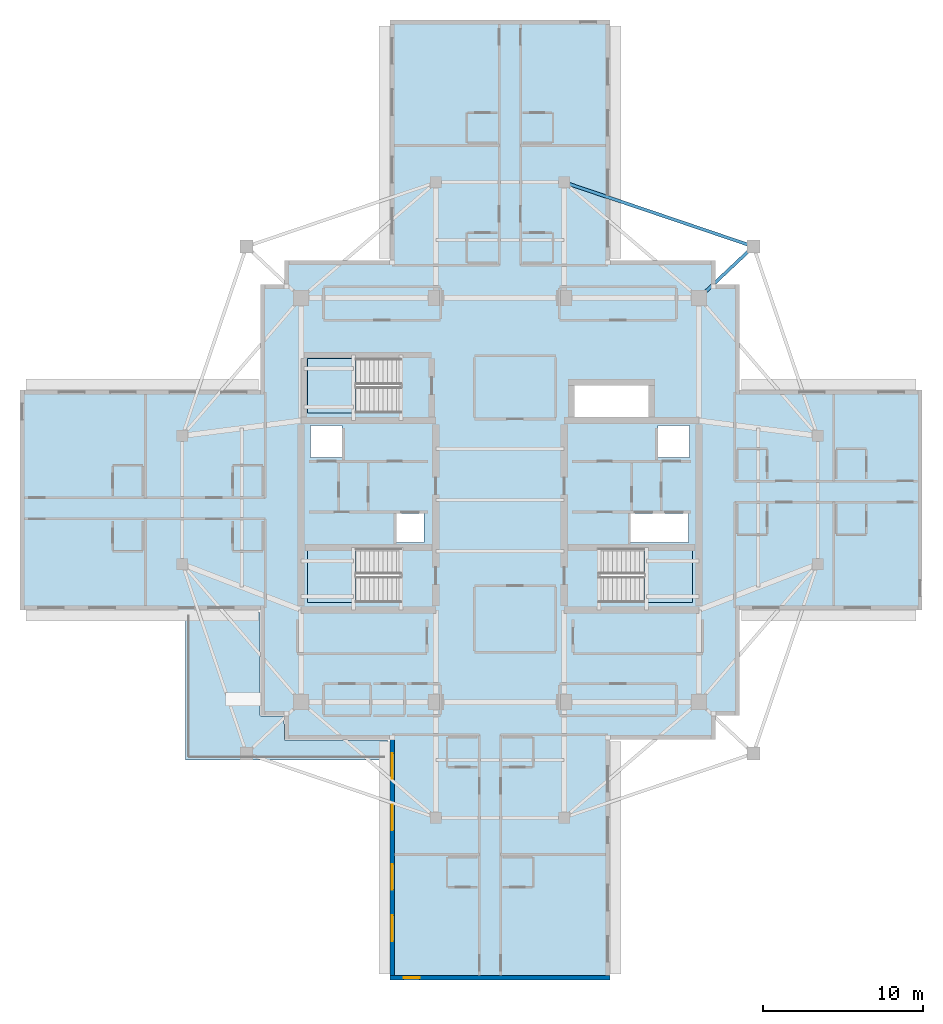
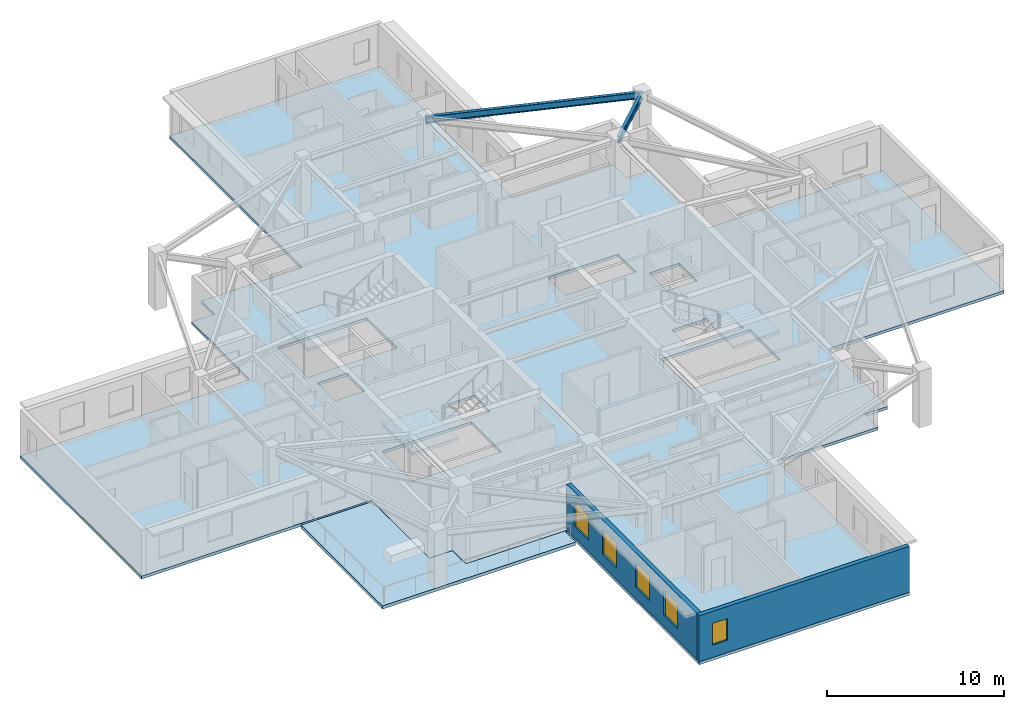
# One storey, part 2 of 12: 5 slabs, 5 windows, 2 beams, 2 walls, 5 openings, 3 elements without a shape of their own.
"""IFC4 building model written with IfcOpenShell, lengths in metres."""

from ifc_helpers import new_model, si_unit, direction, frame, frame_2d, origin, origin_2d, place, context, subcontext, project, spatial, polyline, rectangle, i_section, outline, extrude, material, layer, layer_set, material_profile, profile_set, type_object, element, fill, aggregate, save


model = new_model("IFC4")

# Units and contexts
model_context = context("Model", 3, precision=1e-05, world=origin(), true_north=direction((0.0, 1.0)))
body_context = subcontext(model_context, "Body", "Model", "MODEL_VIEW")
ifc_project = project(units=[si_unit("LENGTHUNIT", "METRE"), si_unit("AREAUNIT", "SQUARE_METRE"), si_unit("VOLUMEUNIT", "CUBIC_METRE"), si_unit("PLANEANGLEUNIT", "RADIAN"), si_unit("MASSUNIT", "GRAM", prefix="KILO")], contexts=[model_context])

# Site, building, storey
site_placement = place(None, origin())
site = spatial("IfcSite", under=ifc_project, at=site_placement, CompositionType="ELEMENT")
building_placement = place(site_placement, origin())
building = spatial("IfcBuilding", under=site, at=building_placement, Name="Qingluan Cross Belvedere", CompositionType="ELEMENT")
storey_placement = place(building_placement, frame((0.0, 0.0, 265.5)))
storey = spatial("IfcBuildingStorey", under=building, at=storey_placement, Name="L66", CompositionType="ELEMENT", Elevation=265.5)

# Beams
ifc_material_1 = material(Name="Steel Q420GJB", Category="steel")
ifc_material_profile = material_profile(ifc_material_1, i_section(OverallWidth=0.199951171875, OverallDepth=0.449951171875, WebThickness=0.009033203125, FlangeThickness=0.013916015625, FilletRadius=0.01611328125, at=origin_2d()), Name="HN450x200x9x14")
ifc_profile_set = profile_set([ifc_material_profile], Name="Steel Q420GJB")
beam_type = type_object("IfcBeamType", Name="Steel_Beam_HN450x200x9x14", PredefinedType="JOIST", material=ifc_profile_set)
beam_1_placement = place(storey_placement, frame((12.39990234375, 12.60009765625, 3.47509765625), z_axis=(0.728219948308, 0.685343495546, 0.0), x_axis=(-0.685343495546, 0.728219948308, 0.0)))
element("IfcBeam", 1, at=beam_1_placement, inside=storey, type_object=beam_type, Name="Corner beam 1 L66-RNE", PredefinedType="JOIST", context=body_context, shape_type="SweptSolid", body=[
    extrude(i_section(OverallWidth=0.199951171875, OverallDepth=0.449951171875, WebThickness=0.009033203125, FlangeThickness=0.013916015625, FilletRadius=0.01611328125, at=origin_2d()), origin(), (0.0, 0.0, 1.0), 4.669189453125),
])
beam_2_placement = place(storey_placement, frame((15.800048828125, 15.800048828125, 3.47509765625), z_axis=(-0.947066283324, 0.321038089628, 0.0), x_axis=(-0.321038089628, -0.947066283324, 0.0)))
element("IfcBeam", 2, at=beam_2_placement, inside=storey, type_object=beam_type, Name="Corner beam 2 L66-RNE", PredefinedType="JOIST", context=body_context, shape_type="SweptSolid", body=[
    extrude(i_section(OverallWidth=0.199951171875, OverallDepth=0.449951171875, WebThickness=0.009033203125, FlangeThickness=0.013916015625, FilletRadius=0.01611328125, at=origin_2d()), origin(), (0.0, 0.0, 1.0), 12.45947265625),
])

# Slab
ifc_material_2 = material(Name="Concrete C40", Category="concrete")
ifc_layer_1 = layer(ifc_material_2, 0.199951171875, Name="FloorSlab_200")
ifc_layer_set_1 = layer_set([ifc_layer_1], Name="Concrete C40")
slab_type_1 = type_object("IfcSlabType", Name="FloorSlab_200", PredefinedType="FLOOR", material=ifc_layer_set_1)
slab_1_placement = place(storey_placement, frame((0.0, 0.0, -0.199951171875)))
element("IfcSlab", 3, at=slab_1_placement, inside=storey, type_object=slab_type_1, Name="Structural floor slab L66", PredefinedType="FLOOR", context=body_context, shape_type="SweptSolid", body=[
    extrude(outline(polyline([(6.860107421875, -29.919921875), (6.860107421875, -14.93994140625), (13.43994140625, -14.93994140625), (13.43994140625, -13.43994140625), (14.93994140625, -13.43994140625), (14.93994140625, -6.860107421875), (26.320068359375, -6.860107421875), (26.320068359375, 6.860107421875), (14.93994140625, 6.860107421875), (14.93994140625, 13.43994140625), (13.43994140625, 13.43994140625), (13.43994140625, 14.93994140625), (6.860107421875, 14.93994140625), (6.860107421875, 29.919921875), (-6.860107421875, 29.919921875), (-6.860107421875, 14.93994140625), (-13.43994140625, 14.93994140625), (-13.43994140625, 13.43994140625), (-14.93994140625, 13.43994140625), (-14.93994140625, 6.860107421875), (-29.919921875, 6.860107421875), (-29.919921875, -6.860107421875), (-14.93994140625, -6.860107421875), (-14.93994140625, -13.43994140625), (-13.43994140625, -13.43994140625), (-13.43994140625, -14.93994140625), (-6.860107421875, -14.93994140625), (-6.860107421875, -29.919921875), (6.860107421875, -29.919921875)]), holes=[polyline([(-12.0, -3.0), (-6.179931640625, -3.0), (-6.179931640625, -6.39990234375), (-12.0, -6.39990234375), (-12.0, -3.0)]), polyline([(6.179931640625, -3.0), (12.0, -3.0), (12.0, -6.39990234375), (6.179931640625, -6.39990234375), (6.179931640625, -3.0)]), polyline([(-12.0, 8.820068359375), (-6.179931640625, 8.820068359375), (-6.179931640625, 5.419921875), (-12.0, 5.419921875), (-12.0, 8.820068359375)]), polyline([(-11.800048828125, 4.64990234375), (-9.85009765625, 4.64990234375), (-9.85009765625, 2.64990234375), (-11.800048828125, 2.64990234375), (-11.800048828125, 4.64990234375)]), polyline([(9.85009765625, 4.64990234375), (11.800048828125, 4.64990234375), (11.800048828125, 2.64990234375), (9.85009765625, 2.64990234375), (9.85009765625, 4.64990234375)]), polyline([(-6.449951171875, -0.840087890625), (-4.75, -0.840087890625), (-4.75, -2.659912109375), (-6.449951171875, -2.659912109375), (-6.449951171875, -0.840087890625)]), polyline([(8.14990234375, -0.840087890625), (11.75, -0.840087890625), (11.75, -2.659912109375), (8.14990234375, -2.659912109375), (8.14990234375, -0.840087890625)]), polyline([(4.64990234375, 7.14990234375), (9.25, 7.14990234375), (9.25, 5.14990234375), (4.64990234375, 5.14990234375), (4.64990234375, 7.14990234375)])]), origin(), (0.0, 0.0, 1.0), 0.199951171875),
])

# Stair, slab
ifc_material_3 = material(Name="Concrete C40", Category="concrete")
stair_type = type_object("IfcStairType", Name="CoreDoglegStair_1620", PredefinedType="HALF_TURN_STAIR", material=ifc_material_3)
stair_1_placement = place(storey_placement, origin())
stair_1 = element("IfcStair", 4, at=stair_1_placement, inside=storey, type_object=stair_type, Name="L66 ST1", PredefinedType="HALF_TURN_STAIR")
ifc_material_4 = material(Name="Concrete C40", Category="concrete")
ifc_layer_2 = layer(ifc_material_4, 0.179931640625, Name="StairLandingSlab_180")
ifc_layer_set_2 = layer_set([ifc_layer_2], Name="Concrete C40")
slab_type_2 = type_object("IfcSlabType", Name="StairLandingSlab_180", PredefinedType="LANDING", material=ifc_layer_set_2)
slab_2_placement = place(storey_placement, frame((0.0, 0.0, 1.75)))
slab_2 = element("IfcSlab", 5, at=slab_2_placement, type_object=slab_type_2, Name="ST1 landing 1", PredefinedType="LANDING", context=body_context, shape_type="SweptSolid", body=[
    extrude(outline(polyline([(-8.97998046875, -3.0), (-12.0, -3.0), (-12.0, -6.39990234375), (-8.97998046875, -6.39990234375), (-8.97998046875, -3.0)])), origin(), (0.0, 0.0, 1.0), 0.199951171875),
])
aggregate(stair_1, [slab_2])

stair_2_placement = place(storey_placement, origin())
stair_2 = element("IfcStair", 6, at=stair_2_placement, inside=storey, type_object=stair_type, Name="L66 ST2", PredefinedType="HALF_TURN_STAIR")
slab_3_placement = place(storey_placement, frame((0.0, 0.0, 1.75)))
slab_3 = element("IfcSlab", 7, at=slab_3_placement, type_object=slab_type_2, Name="ST2 landing 1", PredefinedType="LANDING", context=body_context, shape_type="SweptSolid", body=[
    extrude(outline(polyline([(8.97998046875, -6.39990234375), (12.0, -6.39990234375), (12.0, -3.0), (8.97998046875, -3.0), (8.97998046875, -6.39990234375)])), origin(), (0.0, 0.0, 1.0), 0.199951171875),
])
aggregate(stair_2, [slab_3])

stair_3_placement = place(storey_placement, origin())
stair_3 = element("IfcStair", 8, at=stair_3_placement, inside=storey, type_object=stair_type, Name="L66 ST3", PredefinedType="HALF_TURN_STAIR")
slab_4_placement = place(storey_placement, frame((0.0, 0.0, 1.75)))
slab_4 = element("IfcSlab", 9, at=slab_4_placement, type_object=slab_type_2, Name="ST3 landing 1", PredefinedType="LANDING", context=body_context, shape_type="SweptSolid", body=[
    extrude(outline(polyline([(-8.97998046875, 8.820068359375), (-12.0, 8.820068359375), (-12.0, 5.419921875), (-8.97998046875, 5.419921875), (-8.97998046875, 8.820068359375)])), origin(), (0.0, 0.0, 1.0), 0.199951171875),
])
aggregate(stair_3, [slab_4])

# Slab
ifc_material_5 = material(Name="Concrete C40", Category="concrete")
ifc_layer_3 = layer(ifc_material_5, 0.219970703125, Name="TerraceSlab_220")
ifc_layer_set_3 = layer_set([ifc_layer_3], Name="Concrete C40")
slab_type_3 = type_object("IfcSlabType", Name="TerraceSlab_220", PredefinedType="FLOOR", material=ifc_layer_set_3)
slab_5_placement = place(storey_placement, frame((0.0, 0.0, -0.219970703125)))
element("IfcSlab", 10, at=slab_5_placement, inside=storey, type_object=slab_type_3, Name="Spiralling winter-garden terrace slab L66", PredefinedType="FLOOR", context=body_context, shape_type="SweptSolid", body=[
    extrude(outline(polyline([(-7.0, -14.949951171875), (-13.445556640625, -14.9482421875), (-13.449951171875, -13.449951171875), (-14.93994140625, -13.449951171875), (-14.94970703125, -13.44189453125), (-14.949951171875, -7.0), (-19.60009765625, -7.0), (-19.60009765625, -16.199951171875), (-7.0, -16.199951171875), (-7.0, -14.949951171875)])), origin(), (0.0, 0.0, 1.0), 0.219970703125),
])

# Wall, openings, windows
ifc_material_6 = material(Name="Precast concrete C45", Category="concrete")
ifc_layer_4 = layer(ifc_material_6, 0.280029296875, Name="PrecastFacadeWall_280")
ifc_layer_set_4 = layer_set([ifc_layer_4], Name="Precast concrete C45")
wall_type = type_object("IfcWallType", Name="PrecastFacadeWall_280", PredefinedType="STANDARD", material=ifc_layer_set_4)
wall_1_placement = place(storey_placement, frame((-6.719970703125, -14.93994140625, 0.0), z_axis=(0.0, 0.0, 1.0), x_axis=(0.0, -1.0, 0.0)))
wall_1 = element("IfcWall", 11, at=wall_1_placement, inside=storey, type_object=wall_type, Name="Facade wall L66-SA", PredefinedType="STANDARD", context=body_context, shape_type="SweptSolid", body=[
    extrude(rectangle(XDim=14.699951171875, YDim=0.280029296875, at=frame_2d((7.35009765625, 0.0))), origin(), (0.0, 0.0, 1.0), 3.179931640625),
])
opening_1_placement = place(wall_1_placement, frame((0.85009765625, 0.0, 0.800048828125)))
opening_1 = element("IfcOpeningElement", 12, at=opening_1_placement, cuts=wall_1, Name="Opening W-04", PredefinedType="OPENING", context=body_context, shape_type="SweptSolid", body=[
    extrude(rectangle(XDim=1.60009765625, YDim=1.699951171875, at=frame_2d((0.800048828125, 0.85009765625))), frame((0.0, 0.14990234375, 0.0), z_axis=(0.0, -1.0, 0.0), x_axis=(1.0, 0.0, 0.0)), (0.0, 0.0, 1.0), 0.300048828125),
])
opening_2_placement = place(wall_1_placement, frame((4.050048828125, 0.0, 0.800048828125)))
opening_2 = element("IfcOpeningElement", 13, at=opening_2_placement, cuts=wall_1, Name="Opening W-04", PredefinedType="OPENING", context=body_context, shape_type="SweptSolid", body=[
    extrude(rectangle(XDim=1.60009765625, YDim=1.699951171875, at=frame_2d((0.800048828125, 0.85009765625))), frame((0.0, 0.14990234375, 0.0), z_axis=(0.0, -1.0, 0.0), x_axis=(1.0, 0.0, 0.0)), (0.0, 0.0, 1.0), 0.300048828125),
])
opening_3_placement = place(wall_1_placement, frame((7.75, 0.0, 0.800048828125)))
opening_3 = element("IfcOpeningElement", 14, at=opening_3_placement, cuts=wall_1, Name="Opening W-04", PredefinedType="OPENING", context=body_context, shape_type="SweptSolid", body=[
    extrude(rectangle(XDim=1.60009765625, YDim=1.699951171875, at=frame_2d((0.800048828125, 0.85009765625))), frame((0.0, 0.14990234375, 0.0), z_axis=(0.0, -1.0, 0.0), x_axis=(1.0, 0.0, 0.0)), (0.0, 0.0, 1.0), 0.300048828125),
])
opening_4_placement = place(wall_1_placement, frame((10.949951171875, 0.0, 0.800048828125)))
opening_4 = element("IfcOpeningElement", 15, at=opening_4_placement, cuts=wall_1, Name="Opening W-04", PredefinedType="OPENING", context=body_context, shape_type="SweptSolid", body=[
    extrude(rectangle(XDim=1.60009765625, YDim=1.699951171875, at=frame_2d((0.800048828125, 0.85009765625))), frame((0.0, 0.14990234375, 0.0), z_axis=(0.0, -1.0, 0.0), x_axis=(1.0, 0.0, 0.0)), (0.0, 0.0, 1.0), 0.300048828125),
])
ifc_material_7 = material(Name="Thermally broken triple Low-E glass in aluminium frame", Category="aluminium")
window_type_1 = type_object("IfcWindowType", Name="SuiteCornerWin_1600x1700", PartitioningType="SINGLE_PANEL", PredefinedType="WINDOW", material=ifc_material_7)
window_1_placement = place(opening_1_placement, origin())
window_1 = element("IfcWindow", 16, at=window_1_placement, inside=storey, type_object=window_type_1, Name="Ribbon window L66-SA-1", OverallHeight=1.699951171875, OverallWidth=1.60009765625, PartitioningType="SINGLE_PANEL", PredefinedType="WINDOW", context=body_context, shape_type="SweptSolid", body=[
    extrude(rectangle(XDim=1.60009765625, YDim=1.699951171875, at=frame_2d((0.800048828125, 0.85009765625))), frame((0.0, 0.030029296875, 0.0), z_axis=(0.0, -1.0, 0.0), x_axis=(1.0, 0.0, 0.0)), (0.0, 0.0, 1.0), 0.06005859375),
])
fill(opening_1, window_1)
window_2_placement = place(opening_2_placement, origin())
window_2 = element("IfcWindow", 17, at=window_2_placement, inside=storey, type_object=window_type_1, Name="Ribbon window L66-SA-2", OverallHeight=1.699951171875, OverallWidth=1.60009765625, PartitioningType="SINGLE_PANEL", PredefinedType="WINDOW", context=body_context, shape_type="SweptSolid", body=[
    extrude(rectangle(XDim=1.60009765625, YDim=1.699951171875, at=frame_2d((0.800048828125, 0.85009765625))), frame((0.0, 0.030029296875, 0.0), z_axis=(0.0, -1.0, 0.0), x_axis=(1.0, 0.0, 0.0)), (0.0, 0.0, 1.0), 0.06005859375),
])
fill(opening_2, window_2)
window_3_placement = place(opening_3_placement, origin())
window_3 = element("IfcWindow", 18, at=window_3_placement, inside=storey, type_object=window_type_1, Name="Ribbon window L66-SA-3", OverallHeight=1.699951171875, OverallWidth=1.60009765625, PartitioningType="SINGLE_PANEL", PredefinedType="WINDOW", context=body_context, shape_type="SweptSolid", body=[
    extrude(rectangle(XDim=1.60009765625, YDim=1.699951171875, at=frame_2d((0.800048828125, 0.85009765625))), frame((0.0, 0.030029296875, 0.0), z_axis=(0.0, -1.0, 0.0), x_axis=(1.0, 0.0, 0.0)), (0.0, 0.0, 1.0), 0.06005859375),
])
fill(opening_3, window_3)
window_4_placement = place(opening_4_placement, origin())
window_4 = element("IfcWindow", 19, at=window_4_placement, inside=storey, type_object=window_type_1, Name="Ribbon window L66-SA-4", OverallHeight=1.699951171875, OverallWidth=1.60009765625, PartitioningType="SINGLE_PANEL", PredefinedType="WINDOW", context=body_context, shape_type="SweptSolid", body=[
    extrude(rectangle(XDim=1.60009765625, YDim=1.699951171875, at=frame_2d((0.800048828125, 0.85009765625))), frame((0.0, 0.030029296875, 0.0), z_axis=(0.0, -1.0, 0.0), x_axis=(1.0, 0.0, 0.0)), (0.0, 0.0, 1.0), 0.06005859375),
])
fill(opening_4, window_4)

# Wall, opening, window
wall_2_placement = place(storey_placement, frame((-6.860107421875, -29.780029296875, 0.0), z_axis=(0.0, 0.0, 1.0), x_axis=(1.0, 0.0, 0.0)))
wall_2 = element("IfcWall", 20, at=wall_2_placement, inside=storey, type_object=wall_type, Name="Arm tip precast facade wall L66-S", PredefinedType="STANDARD", context=body_context, shape_type="SweptSolid", body=[
    extrude(rectangle(XDim=13.72021484375, YDim=0.280029296875, at=frame_2d((6.860107421875, 0.0))), origin(), (0.0, 0.0, 1.0), 3.179931640625),
])
opening_5_placement = place(wall_2_placement, frame((0.85009765625, 0.0, 0.85009765625)))
opening_5 = element("IfcOpeningElement", 21, at=opening_5_placement, cuts=wall_2, Name="Opening W-03", PredefinedType="OPENING", context=body_context, shape_type="SweptSolid", body=[
    extrude(rectangle(XDim=1.0, YDim=1.5, at=frame_2d((0.5, 0.75))), frame((0.0, 0.14990234375, 0.0), z_axis=(0.0, -1.0, 0.0), x_axis=(1.0, 0.0, 0.0)), (0.0, 0.0, 1.0), 0.300048828125),
])
ifc_material_8 = material(Name="Thermally broken triple Low-E glass in aluminium frame", Category="aluminium")
window_type_2 = type_object("IfcWindowType", Name="TriApexWin_1000x1500", PartitioningType="SINGLE_PANEL", PredefinedType="WINDOW", material=ifc_material_8)
window_5_placement = place(opening_5_placement, origin())
window_5 = element("IfcWindow", 22, at=window_5_placement, inside=storey, type_object=window_type_2, Name="Arm tip triangular window L66-S", OverallHeight=1.5, OverallWidth=1.0, PartitioningType="SINGLE_PANEL", PredefinedType="WINDOW", context=body_context, shape_type="SweptSolid", body=[
    extrude(rectangle(XDim=1.0, YDim=1.5, at=frame_2d((0.5, 0.75))), frame((0.0, 0.030029296875, 0.0), z_axis=(0.0, -1.0, 0.0), x_axis=(1.0, 0.0, 0.0)), (0.0, 0.0, 1.0), 0.06005859375),
])
fill(opening_5, window_5)

save(model, "model.ifc")
